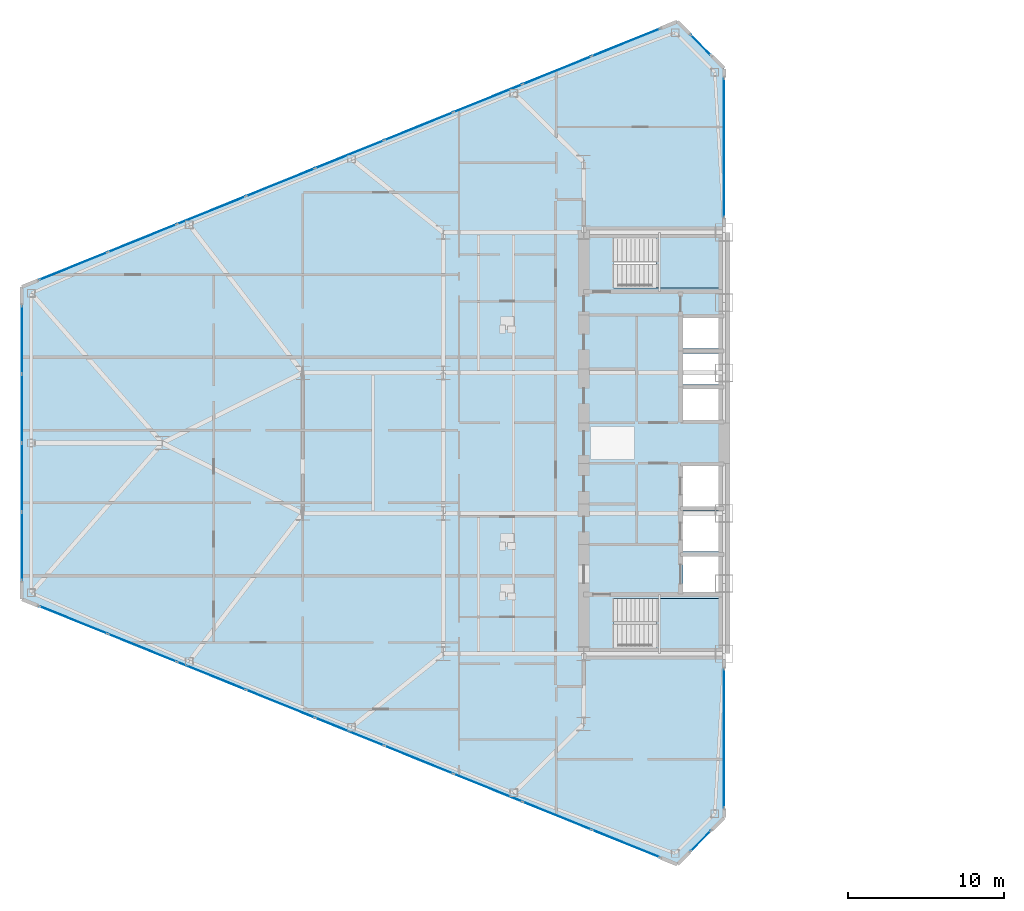
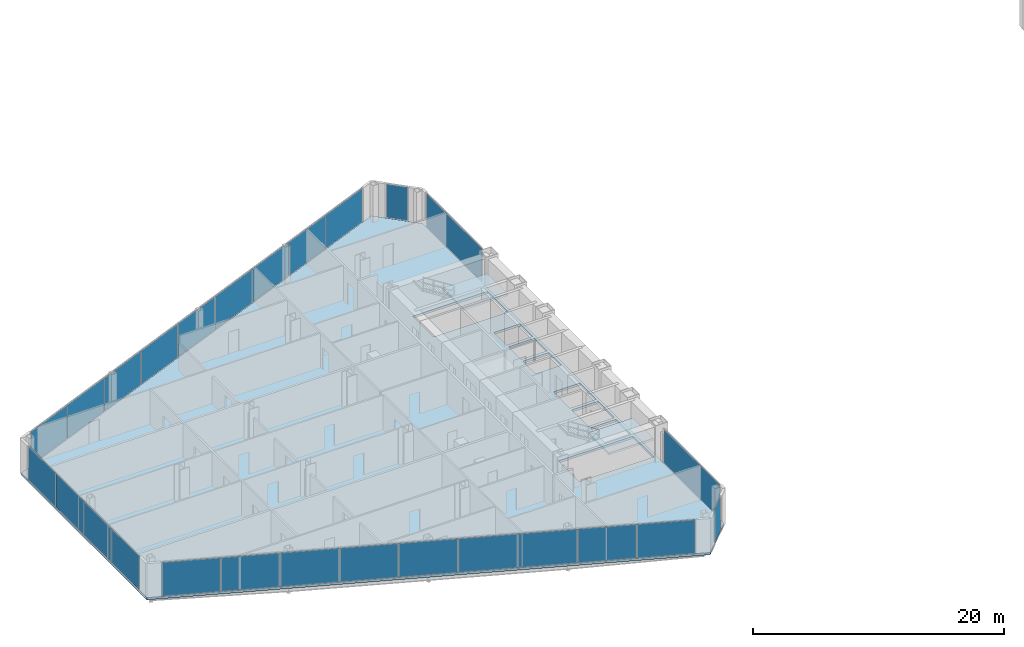
# One storey, part 15 of 25: 26 plates, 3 slabs, 9 elements without a shape of their own.
"""IFC4 building model written with IfcOpenShell, lengths in metres."""

from ifc_helpers import new_model, si_unit, direction, frame, origin, origin_2d, place, context, subcontext, project, spatial, polyline, rectangle, outline, extrude, source, transform, mapped, material, layer, layer_set, type_object, type_shapes, element, aggregate, save


model = new_model("IFC4")

# Units and contexts
model_context = context("Model", 3, precision=1e-05, world=origin(), true_north=direction((0.0, 1.0)))
body_context = subcontext(model_context, "Body", "Model", "MODEL_VIEW")
ifc_project = project(units=[si_unit("LENGTHUNIT", "METRE"), si_unit("AREAUNIT", "SQUARE_METRE"), si_unit("VOLUMEUNIT", "CUBIC_METRE"), si_unit("PLANEANGLEUNIT", "RADIAN"), si_unit("MASSUNIT", "GRAM", prefix="KILO")], contexts=[model_context])

# Site, building, storey
site_placement = place(None, origin())
site = spatial("IfcSite", under=ifc_project, at=site_placement, CompositionType="ELEMENT")
building_placement = place(site_placement, origin())
building = spatial("IfcBuilding", under=site, at=building_placement, Name="Seokmaru Belvedere", CompositionType="ELEMENT")
storey_placement = place(building_placement, frame((0.0, 0.0, 47.699951171875)))
storey = spatial("IfcBuildingStorey", under=building, at=storey_placement, Name="L12", CompositionType="ELEMENT", Elevation=47.699951171875)

# Stair, slab
ifc_material_1 = material(Name="Concrete C40 (40 MPa)", Category="concrete")
stair_type = type_object("IfcStairType", Name="Typical Tower Core Dog-Leg Stair 3600", PredefinedType="TWO_STRAIGHT_RUN_STAIR", material=ifc_material_1)
stair_1_placement = place(storey_placement, origin())
stair_1 = element("IfcStair", 1, at=stair_1_placement, inside=storey, type_object=stair_type, Name="L12 Special Escape Stair ST-W1", PredefinedType="TWO_STRAIGHT_RUN_STAIR")
ifc_layer_1 = layer(ifc_material_1, 0.199951171875)
ifc_layer_set_1 = layer_set([ifc_layer_1], Name="Concrete C40 (40 MPa)")
slab_type_1 = type_object("IfcSlabType", Name="Reinforced Concrete Stair Landing Slab 200", PredefinedType="LANDING", material=ifc_layer_set_1)
slab_1_placement = place(storey_placement, frame((0.0, 0.0, 1.60009765625)))
slab_1 = element("IfcSlab", 2, at=slab_1_placement, type_object=slab_type_1, Name="ST-W1 landing 1", PredefinedType="LANDING", context=body_context, shape_type="SweptSolid", body=[
    extrude(outline(polyline([(-31.8798828125, -13.239990234375), (-27.760009765625, -13.239990234375), (-27.760009765625, -9.949951171875), (-31.8798828125, -9.949951171875), (-31.8798828125, -13.239990234375)])), origin(), (0.0, 0.0, 1.0), 0.199951171875),
])
aggregate(stair_1, [slab_1])

stair_2_placement = place(storey_placement, origin())
stair_2 = element("IfcStair", 3, at=stair_2_placement, inside=storey, type_object=stair_type, Name="L12 Special Escape Stair ST-W2", PredefinedType="TWO_STRAIGHT_RUN_STAIR")
slab_2_placement = place(storey_placement, frame((0.0, 0.0, 1.60009765625)))
slab_2 = element("IfcSlab", 4, at=slab_2_placement, type_object=slab_type_1, Name="ST-W2 landing 1", PredefinedType="LANDING", context=body_context, shape_type="SweptSolid", body=[
    extrude(outline(polyline([(-31.8798828125, 9.949951171875), (-27.760009765625, 9.949951171875), (-27.760009765625, 13.239990234375), (-31.8798828125, 13.239990234375), (-31.8798828125, 9.949951171875)])), origin(), (0.0, 0.0, 1.0), 0.199951171875),
])
aggregate(stair_2, [slab_2])

# Slab
ifc_layer_2 = layer(ifc_material_1, 0.219970703125)
ifc_layer_set_2 = layer_set([ifc_layer_2], Name="Concrete C40 (40 MPa)")
slab_type_2 = type_object("IfcSlabType", Name="Typical Tower Composite Floor Slab 220", PredefinedType="FLOOR", material=ifc_layer_set_2)
slab_3_placement = place(storey_placement, frame((0.0, 0.0, -0.219970703125)))
element("IfcSlab", 5, at=slab_3_placement, inside=storey, type_object=slab_type_2, Name="L12 West Leg Floor Slab", PredefinedType="FLOOR", context=body_context, shape_type="SweptSolid", body=[
    extrude(outline(polyline([(-27.5, -24.0), (-27.5, 24.0), (-30.5, 27.0), (-72.5, 10.0), (-72.5, -10.0), (-30.5, -27.0), (-27.5, -24.0)]), holes=[polyline([(-34.60009765625, -13.25), (-27.75, -13.25), (-27.75, -9.949951171875), (-34.60009765625, -9.949951171875), (-34.60009765625, -13.25)]), polyline([(-34.60009765625, 9.949951171875), (-27.75, 9.949951171875), (-27.75, 13.25), (-34.60009765625, 13.25), (-34.60009765625, 9.949951171875)]), polyline([(-30.14990234375, -9.550048828125), (-27.75, -9.550048828125), (-27.75, -7.25), (-30.14990234375, -7.25), (-30.14990234375, -9.550048828125)]), polyline([(-30.14990234375, -6.949951171875), (-27.75, -6.949951171875), (-27.75, -4.35009765625), (-30.14990234375, -4.35009765625), (-30.14990234375, -6.949951171875)]), polyline([(-30.14990234375, -4.050048828125), (-27.75, -4.050048828125), (-27.75, -1.449951171875), (-30.14990234375, -1.449951171875), (-30.14990234375, -4.050048828125)]), polyline([(-30.14990234375, 1.449951171875), (-27.75, 1.449951171875), (-27.75, 3.449951171875), (-30.14990234375, 3.449951171875), (-30.14990234375, 1.449951171875)]), polyline([(-30.14990234375, 3.75), (-27.75, 3.75), (-27.75, 5.75), (-30.14990234375, 5.75), (-30.14990234375, 3.75)]), polyline([(-30.14990234375, 6.050048828125), (-27.75, 6.050048828125), (-27.75, 8.050048828125), (-30.14990234375, 8.050048828125), (-30.14990234375, 6.050048828125)])]), origin(), (0.0, 0.0, 1.0), 0.219970703125),
])

# Curtain wall, plate
ifc_material_2 = material(Name="Bronze Triple Insulating Glass", Category="glass")
ifc_layer_3 = layer(ifc_material_2, 0.2099609375)
ifc_layer_set_3 = layer_set([ifc_layer_3], Name="Bronze Triple Insulating Glass")
curtain_wall_type = type_object("IfcCurtainWallType", Name="Low-Rise Faceted Crystal Curtain Wall System CW-2", PredefinedType="NOTDEFINED", material=ifc_layer_set_3)
curtain_wall_1_placement = place(storey_placement, origin())
curtain_wall_1 = element("IfcCurtainWall", 6, at=curtain_wall_1_placement, inside=storey, type_object=curtain_wall_type, Name="L12 Curtain Wall WSP_1", PredefinedType="NOTDEFINED")
ifc_layer_4 = layer(ifc_material_2, 0.035888671875)
ifc_layer_set_4 = layer_set([ifc_layer_4], Name="Bronze Triple Insulating Glass")
plate_type = type_object("IfcPlateType", Name="Bronze Triple Vision Glazing Panel 36", PredefinedType="CURTAIN_PANEL", material=ifc_layer_set_4)
shared_shape_1 = source(origin(), body_context, "Body", "SweptSolid", [
    extrude(rectangle(XDim=8.85009765625, YDim=0.035888671875, at=origin_2d()), origin(), (0.0, 0.0, 1.0), 3.239990234375),
])
plate_1_placement = place(storey_placement, frame((-27.5, -18.929931640625, 0.06982421875), z_axis=(0.0, 0.0, 1.0), x_axis=(0.0, 1.0, 0.0)))
plate_1 = element("IfcPlate", 7, at=plate_1_placement, type_object=plate_type, Name="CW:L12:WSP_1 Glazing Panel 1-1", PredefinedType="CURTAIN_PANEL", context=body_context, shape_type="MappedRepresentation", body=[
    mapped(shared_shape_1, transform((0.0, 0.0, 0.0), scale=1.0)),
])
aggregate(curtain_wall_1, [plate_1])

curtain_wall_2_placement = place(storey_placement, origin())
curtain_wall_2 = element("IfcCurtainWall", 8, at=curtain_wall_2_placement, inside=storey, type_object=curtain_wall_type, Name="L12 Curtain Wall WSP_2", PredefinedType="NOTDEFINED")
plate_2_placement = place(storey_placement, frame((-27.5, 18.929931640625, 0.06982421875), z_axis=(0.0, 0.0, 1.0), x_axis=(0.0, 1.0, 0.0)))
plate_2 = element("IfcPlate", 9, at=plate_2_placement, type_object=plate_type, Name="CW:L12:WSP_2 Glazing Panel 1-1", PredefinedType="CURTAIN_PANEL", context=body_context, shape_type="MappedRepresentation", body=[
    mapped(shared_shape_1, transform((0.0, 0.0, 0.0), scale=1.0)),
])
aggregate(curtain_wall_2, [plate_2])

curtain_wall_3_placement = place(storey_placement, origin())
curtain_wall_3 = element("IfcCurtainWall", 10, at=curtain_wall_3_placement, inside=storey, type_object=curtain_wall_type, Name="L12 Curtain Wall WF2", PredefinedType="NOTDEFINED")
shared_shape_2 = source(origin(), body_context, "Body", "SweptSolid", [
    extrude(rectangle(XDim=1.79248046875, YDim=0.035888671875, at=origin_2d()), origin(), (0.0, 0.0, 1.0), 3.239990234375),
])
plate_3_placement = place(storey_placement, frame((-29.0, 25.5, 0.06982421875), z_axis=(0.0, 0.0, 1.0), x_axis=(-0.707106781187, 0.707106781187, 0.0)))
plate_3 = element("IfcPlate", 11, at=plate_3_placement, type_object=plate_type, Name="CW:L12:WF2 Glazing Panel 1-1", PredefinedType="CURTAIN_PANEL", context=body_context, shape_type="MappedRepresentation", body=[
    mapped(shared_shape_2, transform((0.0, 0.0, 0.0), scale=1.0)),
])
aggregate(curtain_wall_3, [plate_3])

curtain_wall_4_placement = place(storey_placement, origin())
curtain_wall_4 = element("IfcCurtainWall", 12, at=curtain_wall_4_placement, inside=storey, type_object=curtain_wall_type, Name="L12 Curtain Wall WF6", PredefinedType="NOTDEFINED")
plate_4_placement = place(storey_placement, frame((-29.0, -25.5, 0.06982421875), z_axis=(0.0, 0.0, 1.0), x_axis=(0.707106781187, 0.707106781187, 0.0)))
plate_4 = element("IfcPlate", 13, at=plate_4_placement, type_object=plate_type, Name="CW:L12:WF6 Glazing Panel 1-1", PredefinedType="CURTAIN_PANEL", context=body_context, shape_type="MappedRepresentation", body=[
    mapped(shared_shape_2, transform((0.0, 0.0, 0.0), scale=1.0)),
])
aggregate(curtain_wall_4, [plate_4])

# Curtain wall, plates
curtain_wall_5_placement = place(storey_placement, origin())
curtain_wall_5 = element("IfcCurtainWall", 14, at=curtain_wall_5_placement, inside=storey, type_object=curtain_wall_type, Name="L12 Curtain Wall WF3", PredefinedType="NOTDEFINED")
shared_shape_3 = source(origin(), body_context, "Body", "SweptSolid", [
    extrude(rectangle(XDim=4.66650390625, YDim=0.035888671875, at=origin_2d()), origin(), (0.0, 0.0, 1.0), 3.239990234375),
])
plate_5_placement = place(storey_placement, frame((-33.79833984375, 25.6650390625, 0.06982421875), z_axis=(0.0, 0.0, 1.0), x_axis=(-0.926946989637, -0.375192321888, 0.0)))
plate_5 = element("IfcPlate", 15, at=plate_5_placement, type_object=plate_type, Name="CW:L12:WF3 Glazing Panel 1-1", PredefinedType="CURTAIN_PANEL", context=body_context, shape_type="MappedRepresentation", body=[
    mapped(shared_shape_3, transform((0.0, 0.0, 0.0), scale=1.0)),
])
plate_6_placement = place(storey_placement, frame((-69.20166015625, 11.3349609375, 0.06982421875), z_axis=(0.0, 0.0, 1.0), x_axis=(-0.926946989637, -0.375192321888, 0.0)))
plate_6 = element("IfcPlate", 16, at=plate_6_placement, type_object=plate_type, Name="CW:L12:WF3 Glazing Panel 9-1", PredefinedType="CURTAIN_PANEL", context=body_context, shape_type="MappedRepresentation", body=[
    mapped(shared_shape_3, transform((0.0, 0.0, 0.0), scale=1.0)),
])

curtain_wall_6_placement = place(storey_placement, origin())
curtain_wall_6 = element("IfcCurtainWall", 17, at=curtain_wall_6_placement, inside=storey, type_object=curtain_wall_type, Name="L12 Curtain Wall WF5", PredefinedType="NOTDEFINED")
plate_7_placement = place(storey_placement, frame((-69.20166015625, -11.3349609375, 0.06982421875), z_axis=(0.0, 0.0, 1.0), x_axis=(0.926946989637, -0.375192321888, 0.0)))
plate_7 = element("IfcPlate", 18, at=plate_7_placement, type_object=plate_type, Name="CW:L12:WF5 Glazing Panel 1-1", PredefinedType="CURTAIN_PANEL", context=body_context, shape_type="MappedRepresentation", body=[
    mapped(shared_shape_3, transform((0.0, 0.0, 0.0), scale=1.0)),
])
plate_8_placement = place(storey_placement, frame((-33.79833984375, -25.6650390625, 0.06982421875), z_axis=(0.0, 0.0, 1.0), x_axis=(0.926946989637, -0.375192321888, 0.0)))
plate_8 = element("IfcPlate", 19, at=plate_8_placement, type_object=plate_type, Name="CW:L12:WF5 Glazing Panel 9-1", PredefinedType="CURTAIN_PANEL", context=body_context, shape_type="MappedRepresentation", body=[
    mapped(shared_shape_3, transform((0.0, 0.0, 0.0), scale=1.0)),
])

# Plate
shared_shape_4 = source(origin(), body_context, "Body", "SweptSolid", [
    extrude(rectangle(XDim=4.703857421875, YDim=0.035888671875, at=origin_2d()), origin(), (0.0, 0.0, 1.0), 3.239990234375),
])
plate_9_placement = place(storey_placement, frame((-38.210693359375, 23.87890625, 0.06982421875), z_axis=(0.0, 0.0, 1.0), x_axis=(-0.926946989637, -0.375192321888, 0.0)))
plate_9 = element("IfcPlate", 20, at=plate_9_placement, type_object=plate_type, Name="CW:L12:WF3 Glazing Panel 2-1", PredefinedType="CURTAIN_PANEL", context=body_context, shape_type="MappedRepresentation", body=[
    mapped(shared_shape_4, transform((0.0, 0.0, 0.0), scale=1.0)),
])

plate_10_placement = place(storey_placement, frame((-42.640380859375, 22.0859375, 0.06982421875), z_axis=(0.0, 0.0, 1.0), x_axis=(-0.926946989637, -0.375192321888, 0.0)))
plate_10 = element("IfcPlate", 21, at=plate_10_placement, type_object=plate_type, Name="CW:L12:WF3 Glazing Panel 3-1", PredefinedType="CURTAIN_PANEL", context=body_context, shape_type="MappedRepresentation", body=[
    mapped(shared_shape_4, transform((0.0, 0.0, 0.0), scale=1.0)),
])

plate_11_placement = place(storey_placement, frame((-47.0703125, 20.29296875, 0.06982421875), z_axis=(0.0, 0.0, 1.0), x_axis=(-0.926946989637, -0.375192321888, 0.0)))
plate_11 = element("IfcPlate", 22, at=plate_11_placement, type_object=plate_type, Name="CW:L12:WF3 Glazing Panel 4-1", PredefinedType="CURTAIN_PANEL", context=body_context, shape_type="MappedRepresentation", body=[
    mapped(shared_shape_4, transform((0.0, 0.0, 0.0), scale=1.0)),
])

plate_12_placement = place(storey_placement, frame((-51.5, 18.5, 0.06982421875), z_axis=(0.0, 0.0, 1.0), x_axis=(-0.926946989637, -0.375192321888, 0.0)))
plate_12 = element("IfcPlate", 23, at=plate_12_placement, type_object=plate_type, Name="CW:L12:WF3 Glazing Panel 5-1", PredefinedType="CURTAIN_PANEL", context=body_context, shape_type="MappedRepresentation", body=[
    mapped(shared_shape_4, transform((0.0, 0.0, 0.0), scale=1.0)),
])

plate_13_placement = place(storey_placement, frame((-55.9296875, 16.70703125, 0.06982421875), z_axis=(0.0, 0.0, 1.0), x_axis=(-0.926946989637, -0.375192321888, 0.0)))
plate_13 = element("IfcPlate", 24, at=plate_13_placement, type_object=plate_type, Name="CW:L12:WF3 Glazing Panel 6-1", PredefinedType="CURTAIN_PANEL", context=body_context, shape_type="MappedRepresentation", body=[
    mapped(shared_shape_4, transform((0.0, 0.0, 0.0), scale=1.0)),
])

plate_14_placement = place(storey_placement, frame((-60.359619140625, 14.9140625, 0.06982421875), z_axis=(0.0, 0.0, 1.0), x_axis=(-0.926946989637, -0.375192321888, 0.0)))
plate_14 = element("IfcPlate", 25, at=plate_14_placement, type_object=plate_type, Name="CW:L12:WF3 Glazing Panel 7-1", PredefinedType="CURTAIN_PANEL", context=body_context, shape_type="MappedRepresentation", body=[
    mapped(shared_shape_4, transform((0.0, 0.0, 0.0), scale=1.0)),
])

plate_15_placement = place(storey_placement, frame((-64.789306640625, 13.12109375, 0.06982421875), z_axis=(0.0, 0.0, 1.0), x_axis=(-0.926946989637, -0.375192321888, 0.0)))
plate_15 = element("IfcPlate", 26, at=plate_15_placement, type_object=plate_type, Name="CW:L12:WF3 Glazing Panel 8-1", PredefinedType="CURTAIN_PANEL", context=body_context, shape_type="MappedRepresentation", body=[
    mapped(shared_shape_4, transform((0.0, 0.0, 0.0), scale=1.0)),
])

aggregate(curtain_wall_5, [plate_5, plate_9, plate_10, plate_11, plate_12, plate_13, plate_14, plate_15, plate_6])

plate_16_placement = place(storey_placement, frame((-64.789306640625, -13.12109375, 0.06982421875), z_axis=(0.0, 0.0, 1.0), x_axis=(0.926946989637, -0.375192321888, 0.0)))
plate_16 = element("IfcPlate", 27, at=plate_16_placement, type_object=plate_type, Name="CW:L12:WF5 Glazing Panel 2-1", PredefinedType="CURTAIN_PANEL", context=body_context, shape_type="MappedRepresentation", body=[
    mapped(shared_shape_4, transform((0.0, 0.0, 0.0), scale=1.0)),
])

plate_17_placement = place(storey_placement, frame((-60.359619140625, -14.9140625, 0.06982421875), z_axis=(0.0, 0.0, 1.0), x_axis=(0.926946989637, -0.375192321888, 0.0)))
plate_17 = element("IfcPlate", 28, at=plate_17_placement, type_object=plate_type, Name="CW:L12:WF5 Glazing Panel 3-1", PredefinedType="CURTAIN_PANEL", context=body_context, shape_type="MappedRepresentation", body=[
    mapped(shared_shape_4, transform((0.0, 0.0, 0.0), scale=1.0)),
])

plate_18_placement = place(storey_placement, frame((-55.9296875, -16.70703125, 0.06982421875), z_axis=(0.0, 0.0, 1.0), x_axis=(0.926946989637, -0.375192321888, 0.0)))
plate_18 = element("IfcPlate", 29, at=plate_18_placement, type_object=plate_type, Name="CW:L12:WF5 Glazing Panel 4-1", PredefinedType="CURTAIN_PANEL", context=body_context, shape_type="MappedRepresentation", body=[
    mapped(shared_shape_4, transform((0.0, 0.0, 0.0), scale=1.0)),
])

plate_19_placement = place(storey_placement, frame((-51.5, -18.5, 0.06982421875), z_axis=(0.0, 0.0, 1.0), x_axis=(0.926946989637, -0.375192321888, 0.0)))
plate_19 = element("IfcPlate", 30, at=plate_19_placement, type_object=plate_type, Name="CW:L12:WF5 Glazing Panel 5-1", PredefinedType="CURTAIN_PANEL", context=body_context, shape_type="MappedRepresentation", body=[
    mapped(shared_shape_4, transform((0.0, 0.0, 0.0), scale=1.0)),
])

plate_20_placement = place(storey_placement, frame((-47.0703125, -20.29296875, 0.06982421875), z_axis=(0.0, 0.0, 1.0), x_axis=(0.926946989637, -0.375192321888, 0.0)))
plate_20 = element("IfcPlate", 31, at=plate_20_placement, type_object=plate_type, Name="CW:L12:WF5 Glazing Panel 6-1", PredefinedType="CURTAIN_PANEL", context=body_context, shape_type="MappedRepresentation", body=[
    mapped(shared_shape_4, transform((0.0, 0.0, 0.0), scale=1.0)),
])

plate_21_placement = place(storey_placement, frame((-42.640380859375, -22.0859375, 0.06982421875), z_axis=(0.0, 0.0, 1.0), x_axis=(0.926946989637, -0.375192321888, 0.0)))
plate_21 = element("IfcPlate", 32, at=plate_21_placement, type_object=plate_type, Name="CW:L12:WF5 Glazing Panel 7-1", PredefinedType="CURTAIN_PANEL", context=body_context, shape_type="MappedRepresentation", body=[
    mapped(shared_shape_4, transform((0.0, 0.0, 0.0), scale=1.0)),
])

plate_22_placement = place(storey_placement, frame((-38.210693359375, -23.87890625, 0.06982421875), z_axis=(0.0, 0.0, 1.0), x_axis=(0.926946989637, -0.375192321888, 0.0)))
plate_22 = element("IfcPlate", 33, at=plate_22_placement, type_object=plate_type, Name="CW:L12:WF5 Glazing Panel 8-1", PredefinedType="CURTAIN_PANEL", context=body_context, shape_type="MappedRepresentation", body=[
    mapped(shared_shape_4, transform((0.0, 0.0, 0.0), scale=1.0)),
])

aggregate(curtain_wall_6, [plate_7, plate_16, plate_17, plate_18, plate_19, plate_20, plate_21, plate_22, plate_8])

# Curtain wall, plates
curtain_wall_7_placement = place(storey_placement, origin())
curtain_wall_7 = element("IfcCurtainWall", 34, at=curtain_wall_7_placement, inside=storey, type_object=curtain_wall_type, Name="L12 Curtain Wall WF4", PredefinedType="NOTDEFINED")
shared_shape_5 = source(origin(), body_context, "Body", "SweptSolid", [
    extrude(rectangle(XDim=4.3125, YDim=0.035888671875, at=origin_2d()), origin(), (0.0, 0.0, 1.0), 3.239990234375),
])
plate_23_placement = place(storey_placement, frame((-72.5, 6.61865234375, 0.06982421875), z_axis=(0.0, 0.0, 1.0), x_axis=(0.0, -1.0, 0.0)))
plate_23 = element("IfcPlate", 35, at=plate_23_placement, type_object=plate_type, Name="CW:L12:WF4 Glazing Panel 1-1", PredefinedType="CURTAIN_PANEL", context=body_context, shape_type="MappedRepresentation", body=[
    mapped(shared_shape_5, transform((0.0, 0.0, 0.0), scale=1.0)),
])
plate_24_placement = place(storey_placement, frame((-72.5, -6.61865234375, 0.06982421875), z_axis=(0.0, 0.0, 1.0), x_axis=(0.0, -1.0, 0.0)))
plate_24 = element("IfcPlate", 36, at=plate_24_placement, type_object=plate_type, Name="CW:L12:WF4 Glazing Panel 4-1", PredefinedType="CURTAIN_PANEL", context=body_context, shape_type="MappedRepresentation", body=[
    mapped(shared_shape_5, transform((0.0, 0.0, 0.0), scale=1.0)),
])
shared_shape_6 = source(origin(), body_context, "Body", "SweptSolid", [
    extrude(rectangle(XDim=4.35009765625, YDim=0.035888671875, at=origin_2d()), origin(), (0.0, 0.0, 1.0), 3.239990234375),
])
type_shapes(plate_type, [shared_shape_1, shared_shape_2, shared_shape_3, shared_shape_4, shared_shape_5, shared_shape_6])
plate_25_placement = place(storey_placement, frame((-72.5, 2.21240234375, 0.06982421875), z_axis=(0.0, 0.0, 1.0), x_axis=(0.0, -1.0, 0.0)))
plate_25 = element("IfcPlate", 37, at=plate_25_placement, type_object=plate_type, Name="CW:L12:WF4 Glazing Panel 2-1", PredefinedType="CURTAIN_PANEL", context=body_context, shape_type="MappedRepresentation", body=[
    mapped(shared_shape_6, transform((0.0, 0.0, 0.0), scale=1.0)),
])
plate_26_placement = place(storey_placement, frame((-72.5, -2.21240234375, 0.06982421875), z_axis=(0.0, 0.0, 1.0), x_axis=(0.0, -1.0, 0.0)))
plate_26 = element("IfcPlate", 38, at=plate_26_placement, type_object=plate_type, Name="CW:L12:WF4 Glazing Panel 3-1", PredefinedType="CURTAIN_PANEL", context=body_context, shape_type="MappedRepresentation", body=[
    mapped(shared_shape_6, transform((0.0, 0.0, 0.0), scale=1.0)),
])
aggregate(curtain_wall_7, [plate_23, plate_25, plate_26, plate_24])

save(model, "model.ifc")
